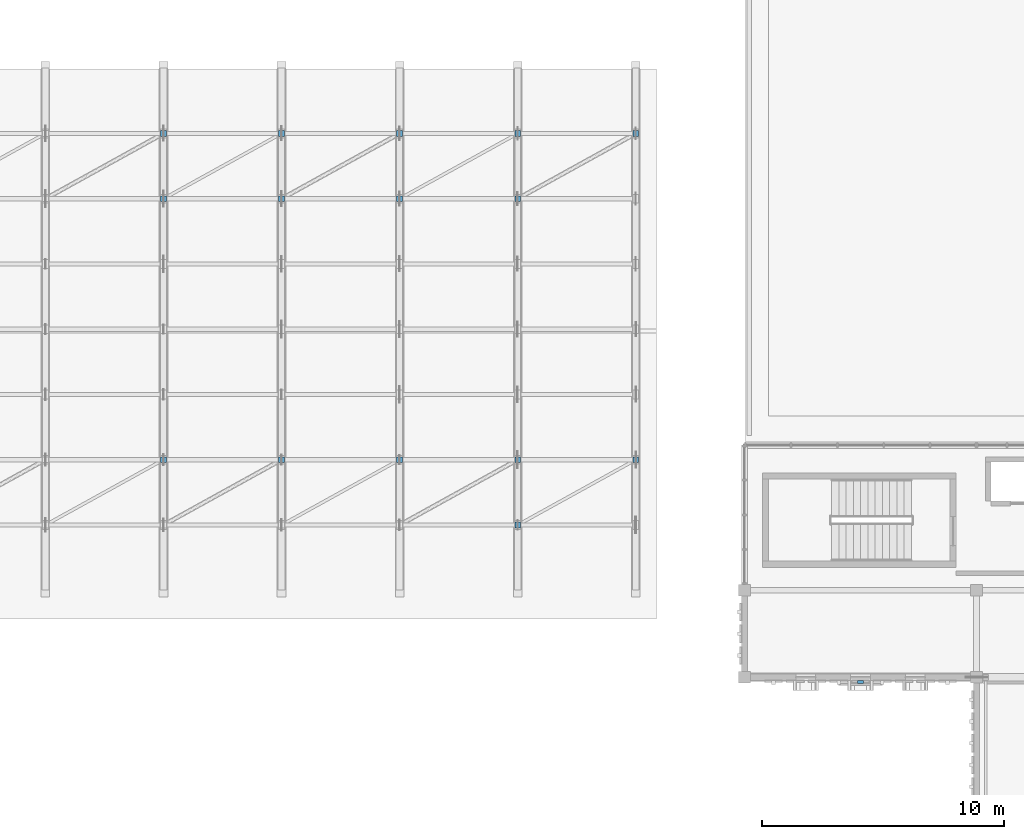
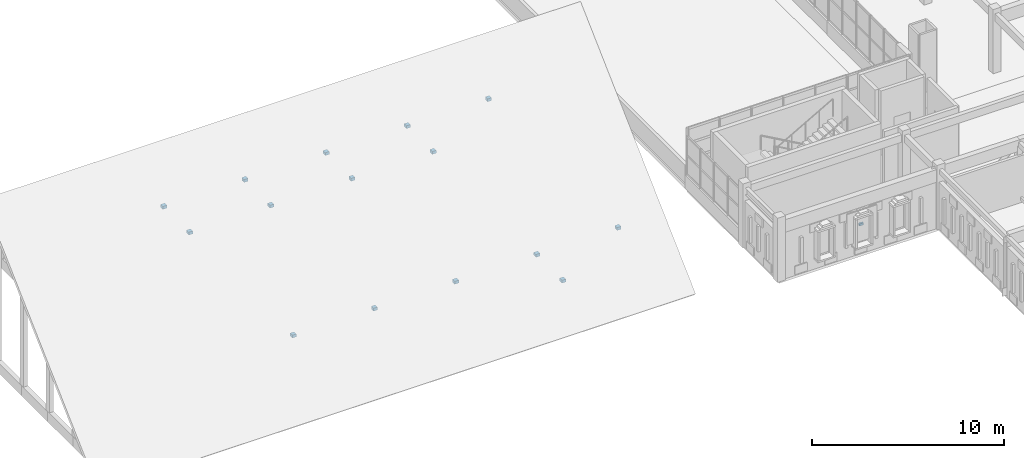
# One storey, part 60 of 79: 16 discrete accessories.
"""IFC4 building model written with IfcOpenShell, lengths in metres."""

from ifc_helpers import new_model, si_unit, direction, frame, origin, origin_2d, place, context, subcontext, project, spatial, rectangle, extrude, material, type_object, element, save


model = new_model("IFC4")

# Units and contexts
model_context = context("Model", 3, precision=1e-05, world=origin(), true_north=direction((0.0, 1.0)))
body_context = subcontext(model_context, "Body", "Model", "MODEL_VIEW")
ifc_project = project(units=[si_unit("LENGTHUNIT", "METRE"), si_unit("AREAUNIT", "SQUARE_METRE"), si_unit("VOLUMEUNIT", "CUBIC_METRE"), si_unit("PLANEANGLEUNIT", "RADIAN"), si_unit("MASSUNIT", "GRAM", prefix="KILO")], contexts=[model_context])

# Site, building, storey
site_placement = place(None, origin())
site = spatial("IfcSite", under=ifc_project, at=site_placement, CompositionType="ELEMENT")
building_placement = place(site_placement, origin())
building = spatial("IfcBuilding", under=site, at=building_placement, Name="Nzembalo Square Collegiate School", CompositionType="ELEMENT")
storey_placement = place(building_placement, frame((0.0, 0.0, 9.52001953125)))
storey = spatial("IfcBuildingStorey", under=building, at=storey_placement, Name="L02", CompositionType="ELEMENT", Elevation=9.52001953125)

# Discrete accessories
ifc_material = material(Name="Steel S355", Category="steel")
discrete_accessory_type = type_object("IfcDiscreteAccessoryType", Name="BK01", PredefinedType="BRACKET", material=ifc_material)
discrete_accessory_placement = place(storey_placement, frame((135.60009765625, 79.00244140625, 1.86962890625), z_axis=(0.0, 0.0, 1.0), x_axis=(1.0, 0.0, 0.0)))
element("IfcDiscreteAccessory", 1, at=discrete_accessory_placement, inside=storey, type_object=discrete_accessory_type, Name="Screen bracket BK01-002", PredefinedType="BRACKET", context=body_context, shape_type="SweptSolid", body=[
    extrude(rectangle(XDim=0.239990234375, YDim=0.1201171875, at=origin_2d()), origin(), (0.0, 0.0, 1.0), 0.139892578125),
])
for number, where, z_axis, x_axis, name in (
    (2, (106.757080078125, 88.199951171875, -0.68994140625), (0.0, 0.0, 1.0), (1.0, 0.0, 0.0), "Steel S355 brace end gusset shoe BK01-B038"),
    (3, (106.757080078125, 101.699951171875, -0.68994140625), (0.0, 0.0, 1.0), (1.0, 0.0, 0.0), "Steel S355 brace end gusset shoe BK01-B040"),
    (4, (111.642822265625, 88.199951171875, -0.68994140625), (0.0, 0.0, 1.0), (1.0, 0.0, 0.0), "Steel S355 brace end gusset shoe BK01-B042"),
    (5, (106.757080078125, 99.0, -0.68994140625), (0.0, 0.0, 1.0), (1.0, 0.0, 0.0), "Steel S355 brace end gusset shoe BK01-B043"),
    (6, (111.642822265625, 101.699951171875, -0.68994140625), (0.0, 0.0, 1.0), (1.0, 0.0, 0.0), "Steel S355 brace end gusset shoe BK01-B044"),
    (7, (116.528564453125, 88.199951171875, -0.68994140625), (0.0, 0.0, 1.0), (1.0, 0.0, 0.0), "Steel S355 brace end gusset shoe BK01-B046"),
    (8, (111.642822265625, 99.0, -0.68994140625), (0.0, 0.0, 1.0), (1.0, 0.0, 0.0), "Steel S355 brace end gusset shoe BK01-B047"),
    (9, (116.528564453125, 101.699951171875, -0.68994140625), (0.0, 0.0, 1.0), (1.0, 0.0, 0.0), "Steel S355 brace end gusset shoe BK01-B048"),
    (10, (121.414306640625, 88.199951171875, -0.68994140625), (0.0, 0.0, 1.0), (1.0, 0.0, 0.0), "Steel S355 brace end gusset shoe BK01-B050"),
    (11, (116.528564453125, 99.0, -0.68994140625), (0.0, 0.0, 1.0), (1.0, 0.0, 0.0), "Steel S355 brace end gusset shoe BK01-B051"),
    (12, (121.414306640625, 101.699951171875, -0.68994140625), (0.0, 0.0, 1.0), (1.0, 0.0, 0.0), "Steel S355 brace end gusset shoe BK01-B052"),
    (13, (121.414306640625, 85.5, -0.68994140625), (0.0, 0.0, 1.0), (1.0, 0.0, 0.0), "Steel S355 brace end gusset shoe BK01-B053"),
    (14, (126.300048828125, 88.199951171875, -0.68994140625), (0.0, 0.0, 1.0), (1.0, 0.0, 0.0), "Steel S355 brace end gusset shoe BK01-B054"),
    (15, (121.414306640625, 99.0, -0.68994140625), (0.0, 0.0, 1.0), (1.0, 0.0, 0.0), "Steel S355 brace end gusset shoe BK01-B055"),
    (16, (126.300048828125, 101.699951171875, -0.68994140625), (0.0, 0.0, 1.0), (1.0, 0.0, 0.0), "Steel S355 brace end gusset shoe BK01-B056"),
):
    element("IfcDiscreteAccessory", number, at=place(storey_placement, frame(where, z_axis=z_axis, x_axis=x_axis)), inside=storey, type_object=discrete_accessory_type, Name=name, PredefinedType="BRACKET", context=body_context, shape_type="SweptSolid", body=[
        extrude(rectangle(XDim=0.239990234375, YDim=0.239990234375, at=origin_2d()), origin(), (0.0, 0.0, 1.0), 0.179931640625),
    ])

save(model, "model.ifc")
